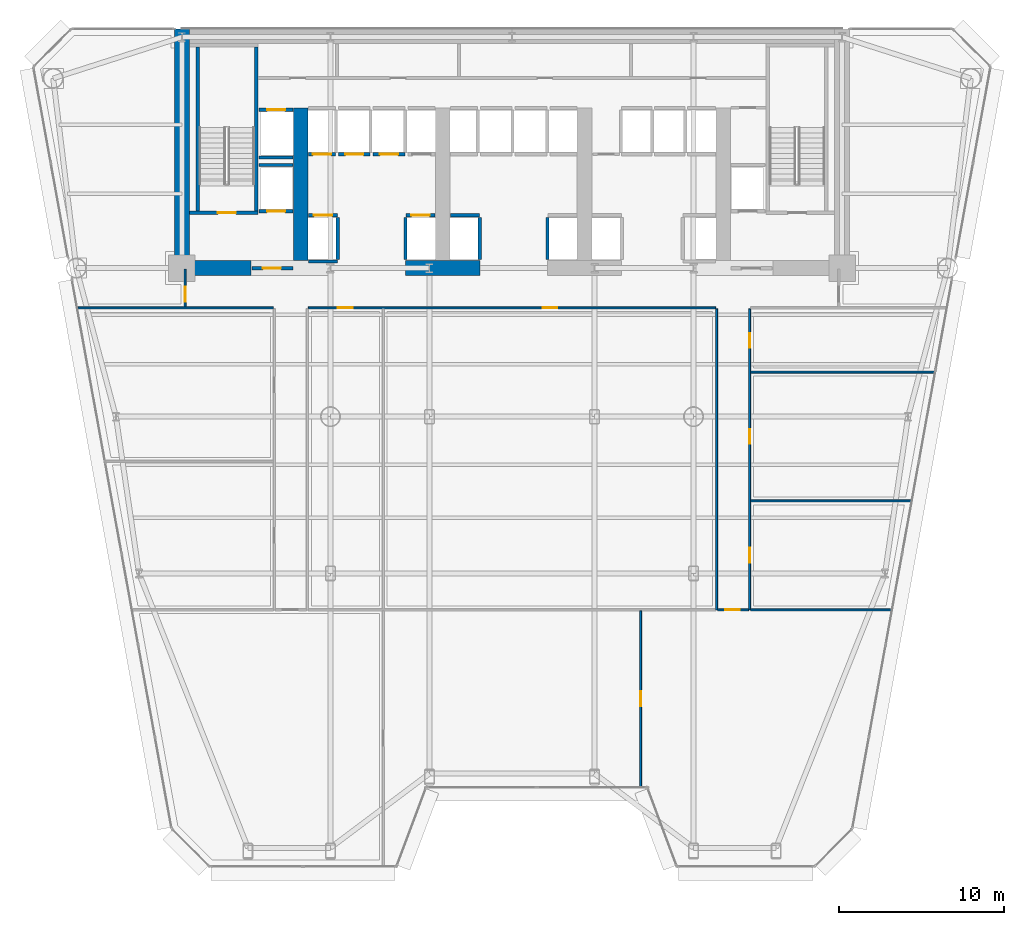
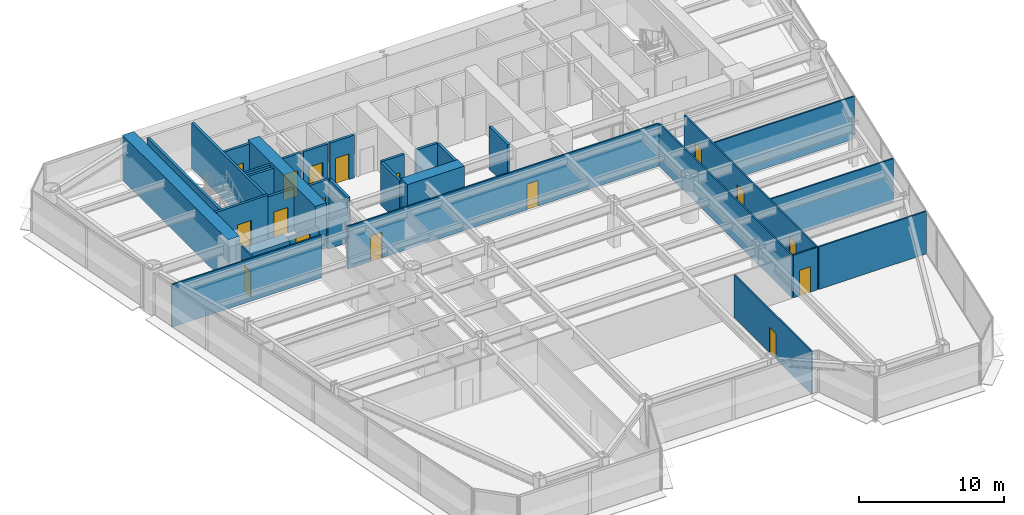
# One storey, part 8 of 14: 33 walls, 17 doors, 17 openings.
"""IFC4 building model written with IfcOpenShell, lengths in metres."""

from ifc_helpers import new_model, si_unit, direction, frame, frame_2d, origin, place, context, subcontext, project, spatial, rectangle, extrude, source, transform, mapped, material, layer, layer_set, type_object, element, fill, save


model = new_model("IFC4")

# Units and contexts
model_context = context("Model", 3, precision=1e-05, world=origin(), true_north=direction((0.0, 1.0)))
body_context = subcontext(model_context, "Body", "Model", "MODEL_VIEW")
ifc_project = project(units=[si_unit("LENGTHUNIT", "METRE"), si_unit("AREAUNIT", "SQUARE_METRE"), si_unit("VOLUMEUNIT", "CUBIC_METRE"), si_unit("PLANEANGLEUNIT", "RADIAN"), si_unit("MASSUNIT", "GRAM", prefix="KILO")], contexts=[model_context])

# Site, building, storey
site_placement = place(None, origin())
site = spatial("IfcSite", under=ifc_project, at=site_placement, CompositionType="ELEMENT")
building_placement = place(site_placement, origin())
building = spatial("IfcBuilding", under=site, at=building_placement, Name="Vaeldorn Concourse Tower", CompositionType="ELEMENT")
storey_placement = place(building_placement, frame((0.0, 0.0, 22.60009765625)))
storey = spatial("IfcBuildingStorey", under=building, at=storey_placement, Name="L05", CompositionType="ELEMENT", Elevation=22.60009765625)

# Walls
ifc_material_1 = material(Name="Concrete C60/75", Category="concrete")
ifc_layer_1 = layer(ifc_material_1, 0.89990234375)
ifc_layer_set_1 = layer_set([ifc_layer_1], Name="Concrete C60/75")
wall_type_1 = type_object("IfcWallType", Name="WL-CORE-900", PredefinedType="SHEAR", material=ifc_layer_set_1)
wall_1_placement = place(storey_placement, frame((14.0, 36.5, 0.0), z_axis=(0.0, 0.0, 1.0), x_axis=(0.0, 1.0, 0.0)))
element("IfcWall", 1, at=wall_1_placement, inside=storey, type_object=wall_type_1, Name="Rear Core Shear Wall L05 W1", PredefinedType="SHEAR", context=body_context, shape_type="SweptSolid", body=[
    extrude(rectangle(XDim=14.5, YDim=0.89990234375, at=frame_2d((7.25, 0.0))), origin(), (0.0, 0.0, 1.0), 3.7998046875),
])
wall_2_placement = place(storey_placement, frame((14.469970703125, 36.5, 0.0), z_axis=(0.0, 0.0, 1.0), x_axis=(1.0, 0.0, 0.0)))
element("IfcWall", 2, at=wall_2_placement, inside=storey, type_object=wall_type_1, Name="Rear Core Shear Wall L05 S1", PredefinedType="SHEAR", context=body_context, shape_type="SweptSolid", body=[
    extrude(rectangle(XDim=3.72998046875, YDim=0.89990234375, at=frame_2d((1.864990234375, 0.0))), origin(), (0.0, 0.0, 1.0), 2.3798828125),
])
wall_3_placement = place(storey_placement, frame((27.550048828125, 36.5, 0.0), z_axis=(0.0, 0.0, 1.0), x_axis=(1.0, 0.0, 0.0)))
element("IfcWall", 3, at=wall_3_placement, inside=storey, type_object=wall_type_1, Name="Rear Core Shear Wall L05 S2", PredefinedType="SHEAR", context=body_context, shape_type="SweptSolid", body=[
    extrude(rectangle(XDim=4.5, YDim=0.89990234375, at=frame_2d((2.25, 0.0))), origin(), (0.0, 0.0, 1.0), 3.7998046875),
])
wall_4_placement = place(storey_placement, frame((21.199951171875, 36.969970703125, 0.0), z_axis=(0.0, 0.0, 1.0), x_axis=(0.0, 1.0, 0.0)))
element("IfcWall", 4, at=wall_4_placement, inside=storey, type_object=wall_type_1, Name="Rear Core Shear Wall L05 M1", PredefinedType="SHEAR", context=body_context, shape_type="SweptSolid", body=[
    extrude(rectangle(XDim=9.22998046875, YDim=0.89990234375, at=frame_2d((4.614990234375, 0.0))), origin(), (0.0, 0.0, 1.0), 3.7998046875),
])

# Wall, openings, doors
ifc_material_2 = material(Name="Gypsum Board Partition", Category="gypsum")
ifc_layer_2 = layer(ifc_material_2, 0.1201171875)
ifc_layer_set_2 = layer_set([ifc_layer_2], Name="Gypsum Board Partition")
wall_type_2 = type_object("IfcWallType", Name="WL-PART-120", PredefinedType="PARTITIONING", material=ifc_layer_set_2)
wall_5_placement = place(storey_placement, frame((21.659912109375, 34.10009765625, 0.0), z_axis=(0.0, 0.0, 1.0), x_axis=(1.0, 0.0, 0.0)))
wall_5 = element("IfcWall", 5, at=wall_5_placement, inside=storey, type_object=wall_type_2, Name="Interior Wall PW-L05-CEWS", PredefinedType="PARTITIONING", context=body_context, shape_type="SweptSolid", body=[
    extrude(rectangle(XDim=24.68017578125, YDim=0.1201171875, at=frame_2d((12.340087890625, 0.0))), origin(), (0.0, 0.0, 1.0), 3.579833984375),
])
opening_1_placement = place(wall_5_placement, frame((1.7900390625, 0.0, 0.0)))
opening_1 = element("IfcOpeningElement", 6, at=opening_1_placement, cuts=wall_5, Name="Opening D-03", PredefinedType="OPENING", context=body_context, shape_type="SweptSolid", body=[
    extrude(rectangle(XDim=0.89990234375, YDim=2.14990234375, at=frame_2d((0.449951171875, 1.074951171875))), frame((0.0, 0.070068359375, 0.0), z_axis=(0.0, -1.0, 0.0), x_axis=(1.0, 0.0, 0.0)), (0.0, 0.0, 1.0), 0.14013671875),
])
opening_2_placement = place(wall_5_placement, frame((14.18994140625, 0.0, 0.0)))
opening_2 = element("IfcOpeningElement", 7, at=opening_2_placement, cuts=wall_5, Name="Opening D-03", PredefinedType="OPENING", context=body_context, shape_type="SweptSolid", body=[
    extrude(rectangle(XDim=0.89990234375, YDim=2.14990234375, at=frame_2d((0.449951171875, 1.074951171875))), frame((0.0, 0.070068359375, 0.0), z_axis=(0.0, -1.0, 0.0), x_axis=(1.0, 0.0, 0.0)), (0.0, 0.0, 1.0), 0.14013671875),
])
ifc_material_3 = material(Name="Acoustic Bronze-Framed Glass Door", Category="glass")
door_type_1 = type_object("IfcDoorType", Name="DR-INT-900", OperationType="NOTDEFINED", PredefinedType="DOOR", material=ifc_material_3)
shared_shape_1 = source(origin(), body_context, "Body", "SweptSolid", [
    extrude(rectangle(XDim=0.89990234375, YDim=2.14990234375, at=frame_2d((0.449951171875, 1.074951171875))), frame((0.0, 0.02490234375, 0.0), z_axis=(0.0, -1.0, 0.0), x_axis=(1.0, 0.0, 0.0)), (0.0, 0.0, 1.0), 0.050048828125),
])
door_1_placement = place(opening_1_placement, origin())
door_1 = element("IfcDoor", 8, at=door_1_placement, inside=storey, type_object=door_type_1, Name="Interior Door DR-L05-H1", OperationType="SINGLE_SWING_LEFT", OverallHeight=2.14990234375, OverallWidth=0.89990234375, PredefinedType="DOOR", context=body_context, shape_type="MappedRepresentation", body=[
    mapped(shared_shape_1, transform((0.0, 0.0, 0.0), scale=1.0)),
])
fill(opening_1, door_1)
door_2_placement = place(opening_2_placement, origin())
door_2 = element("IfcDoor", 9, at=door_2_placement, inside=storey, type_object=door_type_1, Name="Interior Door DR-L05-H2", OperationType="SINGLE_SWING_RIGHT", OverallHeight=2.14990234375, OverallWidth=0.89990234375, PredefinedType="DOOR", context=body_context, shape_type="MappedRepresentation", body=[
    mapped(shared_shape_1, transform((0.0, 0.0, 0.0), scale=1.0)),
])
fill(opening_2, door_2)

# Wall
wall_6_placement = place(storey_placement, frame((7.68896484375, 34.10009765625, 0.0), z_axis=(0.0, 0.0, 1.0), x_axis=(1.0, 0.0, 0.0)))
element("IfcWall", 10, at=wall_6_placement, inside=storey, type_object=wall_type_2, Name="Interior Wall PW-L05-CEWW", PredefinedType="PARTITIONING", context=body_context, shape_type="SweptSolid", body=[
    extrude(rectangle(XDim=11.85107421875, YDim=0.1201171875, at=frame_2d((5.925537109375, 0.0))), origin(), (0.0, 0.0, 1.0), 3.579833984375),
])

# Wall, opening, door
wall_7_placement = place(storey_placement, frame((14.199951171875, 34.159912109375, 0.0), z_axis=(0.0, 0.0, 1.0), x_axis=(0.0, 1.0, 0.0)))
wall_7 = element("IfcWall", 11, at=wall_7_placement, inside=storey, type_object=wall_type_2, Name="Interior Wall PW-L05-CWWT", PredefinedType="PARTITIONING", context=body_context, shape_type="SweptSolid", body=[
    extrude(rectangle(XDim=2.280029296875, YDim=0.1201171875, at=frame_2d((1.14013671875, 0.0))), origin(), (0.0, 0.0, 1.0), 3.579833984375),
])
opening_3_placement = place(wall_7_placement, frame((0.300048828125, 0.0, 0.0)))
opening_3 = element("IfcOpeningElement", 12, at=opening_3_placement, cuts=wall_7, Name="Opening D-03", PredefinedType="OPENING", context=body_context, shape_type="SweptSolid", body=[
    extrude(rectangle(XDim=0.89990234375, YDim=2.14990234375, at=frame_2d((0.449951171875, 1.074951171875))), frame((0.0, 0.070068359375, 0.0), z_axis=(0.0, -1.0, 0.0), x_axis=(1.0, 0.0, 0.0)), (0.0, 0.0, 1.0), 0.14013671875),
])
door_3_placement = place(opening_3_placement, origin())
door_3 = element("IfcDoor", 13, at=door_3_placement, inside=storey, type_object=door_type_1, Name="Interior Door DR-L05-NW1", OperationType="SINGLE_SWING_LEFT", OverallHeight=2.14990234375, OverallWidth=0.89990234375, PredefinedType="DOOR", context=body_context, shape_type="MappedRepresentation", body=[
    mapped(shared_shape_1, transform((0.0, 0.0, 0.0), scale=1.0)),
])
fill(opening_3, door_3)

# Wall
wall_8_placement = place(storey_placement, frame((46.39990234375, 15.800048828125, 0.0), z_axis=(0.0, 0.0, 1.0), x_axis=(0.0, 1.0, 0.0)))
element("IfcWall", 14, at=wall_8_placement, inside=storey, type_object=wall_type_2, Name="Interior Wall PW-L05-CEW", PredefinedType="PARTITIONING", context=body_context, shape_type="SweptSolid", body=[
    extrude(rectangle(XDim=18.239990234375, YDim=0.1201171875, at=frame_2d((9.1201171875, 0.0))), origin(), (0.0, 0.0, 1.0), 3.579833984375),
])

# Wall, openings, doors
wall_9_placement = place(storey_placement, frame((48.39990234375, 15.800048828125, 0.0), z_axis=(0.0, 0.0, 1.0), x_axis=(0.0, 1.0, 0.0)))
wall_9 = element("IfcWall", 15, at=wall_9_placement, inside=storey, type_object=wall_type_2, Name="Interior Wall PW-L05-CEE", PredefinedType="PARTITIONING", context=body_context, shape_type="SweptSolid", body=[
    extrude(rectangle(XDim=18.239990234375, YDim=0.1201171875, at=frame_2d((9.1201171875, 0.0))), origin(), (0.0, 0.0, 1.0), 3.579833984375),
])
opening_4_placement = place(wall_9_placement, frame((2.85009765625, 0.0, 0.0)))
opening_4 = element("IfcOpeningElement", 16, at=opening_4_placement, cuts=wall_9, Name="Opening D-03", PredefinedType="OPENING", context=body_context, shape_type="SweptSolid", body=[
    extrude(rectangle(XDim=0.89990234375, YDim=2.14990234375, at=frame_2d((0.449951171875, 1.074951171875))), frame((0.0, 0.070068359375, 0.0), z_axis=(0.0, -1.0, 0.0), x_axis=(1.0, 0.0, 0.0)), (0.0, 0.0, 1.0), 0.14013671875),
])
opening_5_placement = place(wall_9_placement, frame((10.050048828125, 0.0, 0.0)))
opening_5 = element("IfcOpeningElement", 17, at=opening_5_placement, cuts=wall_9, Name="Opening D-03", PredefinedType="OPENING", context=body_context, shape_type="SweptSolid", body=[
    extrude(rectangle(XDim=0.89990234375, YDim=2.14990234375, at=frame_2d((0.449951171875, 1.074951171875))), frame((0.0, 0.070068359375, 0.0), z_axis=(0.0, -1.0, 0.0), x_axis=(1.0, 0.0, 0.0)), (0.0, 0.0, 1.0), 0.14013671875),
])
opening_6_placement = place(wall_9_placement, frame((15.8701171875, 0.0, 0.0)))
opening_6 = element("IfcOpeningElement", 18, at=opening_6_placement, cuts=wall_9, Name="Opening D-03", PredefinedType="OPENING", context=body_context, shape_type="SweptSolid", body=[
    extrude(rectangle(XDim=0.89990234375, YDim=2.14990234375, at=frame_2d((0.449951171875, 1.074951171875))), frame((0.0, 0.070068359375, 0.0), z_axis=(0.0, -1.0, 0.0), x_axis=(1.0, 0.0, 0.0)), (0.0, 0.0, 1.0), 0.14013671875),
])
door_4_placement = place(opening_4_placement, origin())
door_4 = element("IfcDoor", 19, at=door_4_placement, inside=storey, type_object=door_type_1, Name="Interior Door DR-L05-E1", OperationType="SINGLE_SWING_RIGHT", OverallHeight=2.14990234375, OverallWidth=0.89990234375, PredefinedType="DOOR", context=body_context, shape_type="MappedRepresentation", body=[
    mapped(shared_shape_1, transform((0.0, 0.0, 0.0), scale=1.0)),
])
fill(opening_4, door_4)
door_5_placement = place(opening_5_placement, origin())
door_5 = element("IfcDoor", 20, at=door_5_placement, inside=storey, type_object=door_type_1, Name="Interior Door DR-L05-E2", OperationType="SINGLE_SWING_LEFT", OverallHeight=2.14990234375, OverallWidth=0.89990234375, PredefinedType="DOOR", context=body_context, shape_type="MappedRepresentation", body=[
    mapped(shared_shape_1, transform((0.0, 0.0, 0.0), scale=1.0)),
])
fill(opening_5, door_5)
door_6_placement = place(opening_6_placement, origin())
door_6 = element("IfcDoor", 21, at=door_6_placement, inside=storey, type_object=door_type_1, Name="Interior Door DR-L05-E3", OperationType="SINGLE_SWING_RIGHT", OverallHeight=2.14990234375, OverallWidth=0.89990234375, PredefinedType="DOOR", context=body_context, shape_type="MappedRepresentation", body=[
    mapped(shared_shape_1, transform((0.0, 0.0, 0.0), scale=1.0)),
])
fill(opening_6, door_6)

# Wall, opening, door
wall_10_placement = place(storey_placement, frame((46.4599609375, 15.800048828125, 0.0), z_axis=(0.0, 0.0, 1.0), x_axis=(1.0, 0.0, 0.0)))
wall_10 = element("IfcWall", 22, at=wall_10_placement, inside=storey, type_object=wall_type_2, Name="Interior Wall PW-L05-CES", PredefinedType="PARTITIONING", context=body_context, shape_type="SweptSolid", body=[
    extrude(rectangle(XDim=1.880126953125, YDim=0.1201171875, at=frame_2d((0.93994140625, 0.0))), origin(), (0.0, 0.0, 1.0), 3.579833984375),
])
opening_7_placement = place(wall_10_placement, frame((0.449951171875, 0.0, 0.0)))
opening_7 = element("IfcOpeningElement", 23, at=opening_7_placement, cuts=wall_10, Name="Opening D-03", PredefinedType="OPENING", context=body_context, shape_type="SweptSolid", body=[
    extrude(rectangle(XDim=0.89990234375, YDim=2.14990234375, at=frame_2d((0.449951171875, 1.074951171875))), frame((0.0, 0.070068359375, 0.0), z_axis=(0.0, -1.0, 0.0), x_axis=(1.0, 0.0, 0.0)), (0.0, 0.0, 1.0), 0.14013671875),
])
door_7_placement = place(opening_7_placement, origin())
door_7 = element("IfcDoor", 24, at=door_7_placement, inside=storey, type_object=door_type_1, Name="Interior Door DR-L05-SEL", OperationType="SINGLE_SWING_RIGHT", OverallHeight=2.14990234375, OverallWidth=0.89990234375, PredefinedType="DOOR", context=body_context, shape_type="MappedRepresentation", body=[
    mapped(shared_shape_1, transform((0.0, 0.0, 0.0), scale=1.0)),
])
fill(opening_7, door_7)

# Walls
wall_11_placement = place(storey_placement, frame((48.4599609375, 15.800048828125, 0.0), z_axis=(0.0, 0.0, 1.0), x_axis=(1.0, 0.0, 0.0)))
element("IfcWall", 25, at=wall_11_placement, inside=storey, type_object=wall_type_2, Name="Interior Wall PW-L05-EY0", PredefinedType="PARTITIONING", context=body_context, shape_type="SweptSolid", body=[
    extrude(rectangle(XDim=8.530517578125, YDim=0.1201171875, at=frame_2d((4.26513671875, 0.0))), origin(), (0.0, 0.0, 1.0), 3.579833984375),
])
wall_12_placement = place(storey_placement, frame((48.4599609375, 22.39990234375, 0.0), z_axis=(0.0, 0.0, 1.0), x_axis=(1.0, 0.0, 0.0)))
element("IfcWall", 26, at=wall_12_placement, inside=storey, type_object=wall_type_2, Name="Interior Wall PW-L05-EY1", PredefinedType="PARTITIONING", context=body_context, shape_type="SweptSolid", body=[
    extrude(rectangle(XDim=9.72802734375, YDim=0.1201171875, at=frame_2d((4.864013671875, 0.0))), origin(), (0.0, 0.0, 1.0), 3.579833984375),
])
wall_13_placement = place(storey_placement, frame((48.4599609375, 30.199951171875, 0.0), z_axis=(0.0, 0.0, 1.0), x_axis=(1.0, 0.0, 0.0)))
element("IfcWall", 27, at=wall_13_placement, inside=storey, type_object=wall_type_2, Name="Interior Wall PW-L05-EY2", PredefinedType="PARTITIONING", context=body_context, shape_type="SweptSolid", body=[
    extrude(rectangle(XDim=11.143310546875, YDim=0.1201171875, at=frame_2d((5.57177734375, 0.0))), origin(), (0.0, 0.0, 1.0), 3.579833984375),
])

# Wall, opening, door
wall_14_placement = place(storey_placement, frame((41.800048828125, 5.0791015625, 0.0), z_axis=(0.0, 0.0, 1.0), x_axis=(0.0, 1.0, 0.0)))
wall_14 = element("IfcWall", 28, at=wall_14_placement, inside=storey, type_object=wall_type_2, Name="Interior Wall PW-L05-SMID2", PredefinedType="PARTITIONING", context=body_context, shape_type="SweptSolid", body=[
    extrude(rectangle(XDim=10.660888671875, YDim=0.1201171875, at=frame_2d((5.33056640625, 0.0))), origin(), (0.0, 0.0, 1.0), 3.579833984375),
])
opening_8_placement = place(wall_14_placement, frame((4.8798828125, 0.0, 0.0)))
opening_8 = element("IfcOpeningElement", 29, at=opening_8_placement, cuts=wall_14, Name="Opening D-03", PredefinedType="OPENING", context=body_context, shape_type="SweptSolid", body=[
    extrude(rectangle(XDim=0.89990234375, YDim=2.14990234375, at=frame_2d((0.449951171875, 1.074951171875))), frame((0.0, 0.070068359375, 0.0), z_axis=(0.0, -1.0, 0.0), x_axis=(1.0, 0.0, 0.0)), (0.0, 0.0, 1.0), 0.14013671875),
])
door_8_placement = place(opening_8_placement, origin())
door_8 = element("IfcDoor", 30, at=door_8_placement, inside=storey, type_object=door_type_1, Name="Interior Door DR-L05-SMID2", OperationType="SINGLE_SWING_LEFT", OverallHeight=2.14990234375, OverallWidth=0.89990234375, PredefinedType="DOOR", context=body_context, shape_type="MappedRepresentation", body=[
    mapped(shared_shape_1, transform((0.0, 0.0, 0.0), scale=1.0)),
])
fill(opening_8, door_8)

ifc_material_4 = material(Name="Concrete C50/60", Category="concrete")
ifc_layer_3 = layer(ifc_material_4, 0.199951171875)
ifc_layer_set_3 = layer_set([ifc_layer_3], Name="Concrete C50/60")
wall_type_3 = type_object("IfcWallType", Name="WL-SHAFT-200", PredefinedType="SOLIDWALL", material=ifc_layer_set_3)
wall_15_placement = place(storey_placement, frame((14.449951171875, 39.85009765625, 0.0), z_axis=(0.0, 0.0, 1.0), x_axis=(1.0, 0.0, 0.0)))
wall_15 = element("IfcWall", 31, at=wall_15_placement, inside=storey, type_object=wall_type_3, Name="Stair Shaft Wall CW-L05-ST-1-S", PredefinedType="SOLIDWALL", context=body_context, shape_type="SweptSolid", body=[
    extrude(rectangle(XDim=4.150146484375, YDim=0.199951171875, at=frame_2d((2.0751953125, 0.0))), origin(), (0.0, 0.0, 1.0), 3.7998046875),
])
opening_9_placement = place(wall_15_placement, frame((1.72509765625, 0.0, 0.0)))
opening_9 = element("IfcOpeningElement", 32, at=opening_9_placement, cuts=wall_15, Name="Opening D-01", PredefinedType="OPENING", context=body_context, shape_type="SweptSolid", body=[
    extrude(rectangle(XDim=1.10009765625, YDim=2.14990234375, at=frame_2d((0.550048828125, 1.074951171875))), frame((0.0, 0.10986328125, 0.0), z_axis=(0.0, -1.0, 0.0), x_axis=(1.0, 0.0, 0.0)), (0.0, 0.0, 1.0), 0.219970703125),
])
ifc_material_5 = material(Name="Fire-Rated Timber and Steel Leaf", Category="steel")
door_type_2 = type_object("IfcDoorType", Name="DR-FD60-1100", OperationType="NOTDEFINED", PredefinedType="DOOR", material=ifc_material_5)
shared_shape_2 = source(origin(), body_context, "Body", "SweptSolid", [
    extrude(rectangle(XDim=1.10009765625, YDim=2.14990234375, at=frame_2d((0.550048828125, 1.074951171875))), frame((0.0, 0.02490234375, 0.0), z_axis=(0.0, -1.0, 0.0), x_axis=(1.0, 0.0, 0.0)), (0.0, 0.0, 1.0), 0.050048828125),
])
door_9_placement = place(opening_9_placement, origin())
door_9 = element("IfcDoor", 33, at=door_9_placement, inside=storey, type_object=door_type_2, Name="Interior Door DR-L05-ST-1", OperationType="SINGLE_SWING_LEFT", OverallHeight=2.14990234375, OverallWidth=1.10009765625, PredefinedType="DOOR", context=body_context, shape_type="MappedRepresentation", body=[
    mapped(shared_shape_2, transform((0.0, 0.0, 0.0), scale=1.0)),
])
fill(opening_9, door_9)

# Walls
for number, where, z_axis, x_axis, name in (
    (34, (14.949951171875, 39.9599609375, 0.0), (0.0, 0.0, 1.0), (0.0, 1.0, 0.0), "Stair Shaft Wall CW-L05-ST-1-W"),
    (35, (18.5, 39.9599609375, 0.0), (0.0, 0.0, 1.0), (0.0, 1.0, 0.0), "Stair Shaft Wall CW-L05-ST-1-E"),
):
    element("IfcWall", number, at=place(storey_placement, frame(where, z_axis=z_axis, x_axis=x_axis)), inside=storey, type_object=wall_type_3, Name=name, PredefinedType="SOLIDWALL", context=body_context, shape_type="SweptSolid", body=[
        extrude(rectangle(XDim=9.929931640625, YDim=0.199951171875, at=frame_2d((4.96484375, 0.0))), origin(), (0.0, 0.0, 1.0), 3.7998046875),
    ])

# Wall, opening, door
wall_16_placement = place(storey_placement, frame((18.25, 36.5, 0.0), z_axis=(0.0, 0.0, 1.0), x_axis=(1.0, 0.0, 0.0)))
wall_16 = element("IfcWall", 36, at=wall_16_placement, inside=storey, type_object=wall_type_3, Name="Interior Wall CW-L05-FF1S", PredefinedType="SOLIDWALL", context=body_context, shape_type="SweptSolid", body=[
    extrude(rectangle(XDim=2.469970703125, YDim=0.199951171875, at=frame_2d((1.23486328125, 0.0))), origin(), (0.0, 0.0, 1.0), 2.369873046875),
])
opening_10_placement = place(wall_16_placement, frame((0.64990234375, 0.0, 0.0)))
opening_10 = element("IfcOpeningElement", 37, at=opening_10_placement, cuts=wall_16, Name="Opening D-01", PredefinedType="OPENING", context=body_context, shape_type="SweptSolid", body=[
    extrude(rectangle(XDim=1.10009765625, YDim=2.14990234375, at=frame_2d((0.550048828125, 1.074951171875))), frame((0.0, 0.10986328125, 0.0), z_axis=(0.0, -1.0, 0.0), x_axis=(1.0, 0.0, 0.0)), (0.0, 0.0, 1.0), 0.219970703125),
])
door_10_placement = place(opening_10_placement, origin())
door_10 = element("IfcDoor", 38, at=door_10_placement, inside=storey, type_object=door_type_2, Name="Interior Door DR-L05-FF1E", OperationType="SINGLE_SWING_RIGHT", OverallHeight=2.14990234375, OverallWidth=1.10009765625, PredefinedType="DOOR", context=body_context, shape_type="MappedRepresentation", body=[
    mapped(shared_shape_2, transform((0.0, 0.0, 0.0), scale=1.0)),
])
fill(opening_10, door_10)

wall_17_placement = place(storey_placement, frame((21.659912109375, 39.699951171875, 0.0), z_axis=(0.0, 0.0, 1.0), x_axis=(1.0, 0.0, 0.0)))
wall_17 = element("IfcWall", 39, at=wall_17_placement, inside=storey, type_object=wall_type_3, Name="Interior Wall CW-L05-LF-LF-01", PredefinedType="SOLIDWALL", context=body_context, shape_type="SweptSolid", body=[
    extrude(rectangle(XDim=1.77001953125, YDim=0.199951171875, at=frame_2d((0.885009765625, 0.0))), origin(), (0.0, 0.0, 1.0), 3.579833984375),
])
opening_11_placement = place(wall_17_placement, frame((0.3349609375, 0.0, 0.0)))
opening_11 = element("IfcOpeningElement", 40, at=opening_11_placement, cuts=wall_17, Name="Opening LD-1", PredefinedType="OPENING", context=body_context, shape_type="SweptSolid", body=[
    extrude(rectangle(XDim=1.10009765625, YDim=2.14990234375, at=frame_2d((0.550048828125, 1.074951171875))), frame((0.0, 0.10986328125, 0.0), z_axis=(0.0, -1.0, 0.0), x_axis=(1.0, 0.0, 0.0)), (0.0, 0.0, 1.0), 0.219970703125),
])
ifc_material_6 = material(Name="Anodised Bronze Aluminium", Category="aluminium")
door_type_3 = type_object("IfcDoorType", Name="DR-LIFT-SLIDE-1100", OperationType="DOUBLE_DOOR_SLIDING", PredefinedType="DOOR", material=ifc_material_6)
door_11_placement = place(opening_11_placement, origin())
door_11 = element("IfcDoor", 41, at=door_11_placement, inside=storey, type_object=door_type_3, Name="Lift Landing Door LD-L05-LF-01", OperationType="DOUBLE_DOOR_SLIDING", OverallHeight=2.14990234375, OverallWidth=1.10009765625, PredefinedType="DOOR", context=body_context, shape_type="MappedRepresentation", body=[
    mapped(shared_shape_2, transform((0.0, 0.0, 0.0), scale=1.0)),
])
fill(opening_11, door_11)

# Walls
wall_18_placement = place(storey_placement, frame((21.659912109375, 36.89990234375, 0.0), z_axis=(0.0, 0.0, 1.0), x_axis=(1.0, 0.0, 0.0)))
element("IfcWall", 42, at=wall_18_placement, inside=storey, type_object=wall_type_3, Name="Interior Wall CW-L05-LFB-LF-01", PredefinedType="SOLIDWALL", context=body_context, shape_type="SweptSolid", body=[
    extrude(rectangle(XDim=1.77001953125, YDim=0.199951171875, at=frame_2d((0.885009765625, 0.0))), origin(), (0.0, 0.0, 1.0), 2.369873046875),
])
wall_19_placement = place(storey_placement, frame((23.449951171875, 37.02001953125, 0.0), z_axis=(0.0, 0.0, 1.0), x_axis=(0.0, 1.0, 0.0)))
element("IfcWall", 43, at=wall_19_placement, inside=storey, type_object=wall_type_3, Name="Interior Wall CW-L05-LFE-LF-01", PredefinedType="SOLIDWALL", context=body_context, shape_type="SweptSolid", body=[
    extrude(rectangle(XDim=2.56005859375, YDim=0.199951171875, at=frame_2d((1.280029296875, 0.0))), origin(), (0.0, 0.0, 1.0), 3.579833984375),
])

# Wall, opening, door
wall_20_placement = place(storey_placement, frame((27.570068359375, 39.699951171875, 0.0), z_axis=(0.0, 0.0, 1.0), x_axis=(1.0, 0.0, 0.0)))
wall_20 = element("IfcWall", 44, at=wall_20_placement, inside=storey, type_object=wall_type_3, Name="Interior Wall CW-L05-LF-LF-02", PredefinedType="SOLIDWALL", context=body_context, shape_type="SweptSolid", body=[
    extrude(rectangle(XDim=1.77001953125, YDim=0.199951171875, at=frame_2d((0.885009765625, 0.0))), origin(), (0.0, 0.0, 1.0), 3.579833984375),
])
opening_12_placement = place(wall_20_placement, frame((0.3349609375, 0.0, 0.0)))
opening_12 = element("IfcOpeningElement", 45, at=opening_12_placement, cuts=wall_20, Name="Opening LD-1", PredefinedType="OPENING", context=body_context, shape_type="SweptSolid", body=[
    extrude(rectangle(XDim=1.10009765625, YDim=2.14990234375, at=frame_2d((0.550048828125, 1.074951171875))), frame((0.0, 0.10986328125, 0.0), z_axis=(0.0, -1.0, 0.0), x_axis=(1.0, 0.0, 0.0)), (0.0, 0.0, 1.0), 0.219970703125),
])
door_12_placement = place(opening_12_placement, origin())
door_12 = element("IfcDoor", 46, at=door_12_placement, inside=storey, type_object=door_type_3, Name="Lift Landing Door LD-L05-LF-02", OperationType="DOUBLE_DOOR_SLIDING", OverallHeight=2.14990234375, OverallWidth=1.10009765625, PredefinedType="DOOR", context=body_context, shape_type="MappedRepresentation", body=[
    mapped(shared_shape_2, transform((0.0, 0.0, 0.0), scale=1.0)),
])
fill(opening_12, door_12)

# Wall
wall_21_placement = place(storey_placement, frame((27.550048828125, 37.02001953125, 0.0), z_axis=(0.0, 0.0, 1.0), x_axis=(0.0, 1.0, 0.0)))
element("IfcWall", 47, at=wall_21_placement, inside=storey, type_object=wall_type_3, Name="Interior Wall CW-L05-LFW-LF-02", PredefinedType="SOLIDWALL", context=body_context, shape_type="SweptSolid", body=[
    extrude(rectangle(XDim=2.56005859375, YDim=0.199951171875, at=frame_2d((1.280029296875, 0.0))), origin(), (0.0, 0.0, 1.0), 3.579833984375),
])

# Wall, opening, door
wall_22_placement = place(storey_placement, frame((21.659912109375, 43.39990234375, 0.0), z_axis=(0.0, 0.0, 1.0), x_axis=(1.0, 0.0, 0.0)))
wall_22 = element("IfcWall", 48, at=wall_22_placement, inside=storey, type_object=wall_type_3, Name="Interior Wall CW-L05-LF-LF-03", PredefinedType="SOLIDWALL", context=body_context, shape_type="SweptSolid", body=[
    extrude(rectangle(XDim=1.650146484375, YDim=0.199951171875, at=frame_2d((0.8251953125, 0.0))), origin(), (0.0, 0.0, 1.0), 3.579833984375),
])
opening_13_placement = place(wall_22_placement, frame((0.27490234375, 0.0, 0.0)))
opening_13 = element("IfcOpeningElement", 49, at=opening_13_placement, cuts=wall_22, Name="Opening LD-1", PredefinedType="OPENING", context=body_context, shape_type="SweptSolid", body=[
    extrude(rectangle(XDim=1.10009765625, YDim=2.14990234375, at=frame_2d((0.550048828125, 1.074951171875))), frame((0.0, 0.10986328125, 0.0), z_axis=(0.0, -1.0, 0.0), x_axis=(1.0, 0.0, 0.0)), (0.0, 0.0, 1.0), 0.219970703125),
])
door_13_placement = place(opening_13_placement, origin())
door_13 = element("IfcDoor", 50, at=door_13_placement, inside=storey, type_object=door_type_3, Name="Lift Landing Door LD-L05-LF-03", OperationType="DOUBLE_DOOR_SLIDING", OverallHeight=2.14990234375, OverallWidth=1.10009765625, PredefinedType="DOOR", context=body_context, shape_type="MappedRepresentation", body=[
    mapped(shared_shape_2, transform((0.0, 0.0, 0.0), scale=1.0)),
])
fill(opening_13, door_13)

wall_23_placement = place(storey_placement, frame((23.489990234375, 43.39990234375, 0.0), z_axis=(0.0, 0.0, 1.0), x_axis=(1.0, 0.0, 0.0)))
wall_23 = element("IfcWall", 51, at=wall_23_placement, inside=storey, type_object=wall_type_3, Name="Interior Wall CW-L05-LF-LF-04", PredefinedType="SOLIDWALL", context=body_context, shape_type="SweptSolid", body=[
    extrude(rectangle(XDim=1.919921875, YDim=0.199951171875, at=frame_2d((0.9599609375, 0.0))), origin(), (0.0, 0.0, 1.0), 3.579833984375),
])
opening_14_placement = place(wall_23_placement, frame((0.409912109375, 0.0, 0.0)))
opening_14 = element("IfcOpeningElement", 52, at=opening_14_placement, cuts=wall_23, Name="Opening LD-1", PredefinedType="OPENING", context=body_context, shape_type="SweptSolid", body=[
    extrude(rectangle(XDim=1.10009765625, YDim=2.14990234375, at=frame_2d((0.550048828125, 1.074951171875))), frame((0.0, 0.10986328125, 0.0), z_axis=(0.0, -1.0, 0.0), x_axis=(1.0, 0.0, 0.0)), (0.0, 0.0, 1.0), 0.219970703125),
])
door_14_placement = place(opening_14_placement, origin())
door_14 = element("IfcDoor", 53, at=door_14_placement, inside=storey, type_object=door_type_3, Name="Lift Landing Door LD-L05-LF-04", OperationType="DOUBLE_DOOR_SLIDING", OverallHeight=2.14990234375, OverallWidth=1.10009765625, PredefinedType="DOOR", context=body_context, shape_type="MappedRepresentation", body=[
    mapped(shared_shape_2, transform((0.0, 0.0, 0.0), scale=1.0)),
])
fill(opening_14, door_14)

wall_24_placement = place(storey_placement, frame((25.590087890625, 43.39990234375, 0.0), z_axis=(0.0, 0.0, 1.0), x_axis=(1.0, 0.0, 0.0)))
wall_24 = element("IfcWall", 54, at=wall_24_placement, inside=storey, type_object=wall_type_3, Name="Interior Wall CW-L05-LF-LF-05", PredefinedType="SOLIDWALL", context=body_context, shape_type="SweptSolid", body=[
    extrude(rectangle(XDim=1.919921875, YDim=0.199951171875, at=frame_2d((0.9599609375, 0.0))), origin(), (0.0, 0.0, 1.0), 3.579833984375),
])
opening_15_placement = place(wall_24_placement, frame((0.409912109375, 0.0, 0.0)))
opening_15 = element("IfcOpeningElement", 55, at=opening_15_placement, cuts=wall_24, Name="Opening LD-1", PredefinedType="OPENING", context=body_context, shape_type="SweptSolid", body=[
    extrude(rectangle(XDim=1.10009765625, YDim=2.14990234375, at=frame_2d((0.550048828125, 1.074951171875))), frame((0.0, 0.10986328125, 0.0), z_axis=(0.0, -1.0, 0.0), x_axis=(1.0, 0.0, 0.0)), (0.0, 0.0, 1.0), 0.219970703125),
])
door_15_placement = place(opening_15_placement, origin())
door_15 = element("IfcDoor", 56, at=door_15_placement, inside=storey, type_object=door_type_3, Name="Lift Landing Door LD-L05-LF-05", OperationType="DOUBLE_DOOR_SLIDING", OverallHeight=2.14990234375, OverallWidth=1.10009765625, PredefinedType="DOOR", context=body_context, shape_type="MappedRepresentation", body=[
    mapped(shared_shape_2, transform((0.0, 0.0, 0.0), scale=1.0)),
])
fill(opening_15, door_15)

# Walls
wall_25_placement = place(storey_placement, frame((30.260009765625, 39.699951171875, 0.0), z_axis=(0.0, 0.0, 1.0), x_axis=(1.0, 0.0, 0.0)))
element("IfcWall", 57, at=wall_25_placement, inside=storey, type_object=wall_type_3, Name="Interior Wall CW-L05-LF-LF-07", PredefinedType="SOLIDWALL", context=body_context, shape_type="SweptSolid", body=[
    extrude(rectangle(XDim=1.77001953125, YDim=0.199951171875, at=frame_2d((0.885009765625, 0.0))), origin(), (0.0, 0.0, 1.0), 3.579833984375),
])
for number, where, z_axis, x_axis, name in (
    (58, (32.050048828125, 37.02001953125, 0.0), (0.0, 0.0, 1.0), (0.0, 1.0, 0.0), "Interior Wall CW-L05-LFE-LF-07"),
    (59, (36.14990234375, 37.02001953125, 0.0), (0.0, 0.0, 1.0), (0.0, 1.0, 0.0), "Interior Wall CW-L05-LFW-LF-08"),
):
    element("IfcWall", number, at=place(storey_placement, frame(where, z_axis=z_axis, x_axis=x_axis)), inside=storey, type_object=wall_type_3, Name=name, PredefinedType="SOLIDWALL", context=body_context, shape_type="SweptSolid", body=[
        extrude(rectangle(XDim=2.56005859375, YDim=0.199951171875, at=frame_2d((1.280029296875, 0.0))), origin(), (0.0, 0.0, 1.0), 3.579833984375),
    ])

# Wall, opening, door
wall_26_placement = place(storey_placement, frame((18.669921875, 46.10009765625, 0.0), z_axis=(0.0, 0.0, 1.0), x_axis=(1.0, 0.0, 0.0)))
wall_26 = element("IfcWall", 60, at=wall_26_placement, inside=storey, type_object=wall_type_3, Name="Interior Wall CW-L05-LF-LF-SV1", PredefinedType="SOLIDWALL", context=body_context, shape_type="SweptSolid", body=[
    extrude(rectangle(XDim=2.070068359375, YDim=0.199951171875, at=frame_2d((1.03515625, 0.0))), origin(), (0.0, 0.0, 1.0), 3.579833984375),
])
opening_16_placement = place(wall_26_placement, frame((0.485107421875, 0.0, 0.0)))
opening_16 = element("IfcOpeningElement", 61, at=opening_16_placement, cuts=wall_26, Name="Opening LD-1", PredefinedType="OPENING", context=body_context, shape_type="SweptSolid", body=[
    extrude(rectangle(XDim=1.10009765625, YDim=2.14990234375, at=frame_2d((0.550048828125, 1.074951171875))), frame((0.0, 0.10986328125, 0.0), z_axis=(0.0, -1.0, 0.0), x_axis=(1.0, 0.0, 0.0)), (0.0, 0.0, 1.0), 0.219970703125),
])
door_16_placement = place(opening_16_placement, origin())
door_16 = element("IfcDoor", 62, at=door_16_placement, inside=storey, type_object=door_type_3, Name="Lift Landing Door LD-L05-LF-SV1", OperationType="DOUBLE_DOOR_SLIDING", OverallHeight=2.14990234375, OverallWidth=1.10009765625, PredefinedType="DOOR", context=body_context, shape_type="MappedRepresentation", body=[
    mapped(shared_shape_2, transform((0.0, 0.0, 0.0), scale=1.0)),
])
fill(opening_16, door_16)

# Wall
wall_27_placement = place(storey_placement, frame((18.669921875, 43.199951171875, 0.0), z_axis=(0.0, 0.0, 1.0), x_axis=(1.0, 0.0, 0.0)))
element("IfcWall", 63, at=wall_27_placement, inside=storey, type_object=wall_type_3, Name="Interior Wall CW-L05-LFB-LF-SV1", PredefinedType="SOLIDWALL", context=body_context, shape_type="SweptSolid", body=[
    extrude(rectangle(XDim=2.070068359375, YDim=0.199951171875, at=frame_2d((1.03515625, 0.0))), origin(), (0.0, 0.0, 1.0), 3.579833984375),
])

# Wall, opening, door
wall_28_placement = place(storey_placement, frame((18.669921875, 39.949951171875, 0.0), z_axis=(0.0, 0.0, 1.0), x_axis=(1.0, 0.0, 0.0)))
wall_28 = element("IfcWall", 64, at=wall_28_placement, inside=storey, type_object=wall_type_3, Name="Interior Wall CW-L05-LF-LF-FF1", PredefinedType="SOLIDWALL", context=body_context, shape_type="SweptSolid", body=[
    extrude(rectangle(XDim=2.070068359375, YDim=0.199951171875, at=frame_2d((1.03515625, 0.0))), origin(), (0.0, 0.0, 1.0), 3.579833984375),
])
opening_17_placement = place(wall_28_placement, frame((0.485107421875, 0.0, 0.0)))
opening_17 = element("IfcOpeningElement", 65, at=opening_17_placement, cuts=wall_28, Name="Opening LD-1", PredefinedType="OPENING", context=body_context, shape_type="SweptSolid", body=[
    extrude(rectangle(XDim=1.10009765625, YDim=2.14990234375, at=frame_2d((0.550048828125, 1.074951171875))), frame((0.0, 0.10986328125, 0.0), z_axis=(0.0, -1.0, 0.0), x_axis=(1.0, 0.0, 0.0)), (0.0, 0.0, 1.0), 0.219970703125),
])
door_17_placement = place(opening_17_placement, origin())
door_17 = element("IfcDoor", 66, at=door_17_placement, inside=storey, type_object=door_type_3, Name="Lift Landing Door LD-L05-LF-FF1", OperationType="DOUBLE_DOOR_SLIDING", OverallHeight=2.14990234375, OverallWidth=1.10009765625, PredefinedType="DOOR", context=body_context, shape_type="MappedRepresentation", body=[
    mapped(shared_shape_2, transform((0.0, 0.0, 0.0), scale=1.0)),
])
fill(opening_17, door_17)

# Wall
wall_29_placement = place(storey_placement, frame((18.669921875, 42.75, 0.0), z_axis=(0.0, 0.0, 1.0), x_axis=(1.0, 0.0, 0.0)))
element("IfcWall", 67, at=wall_29_placement, inside=storey, type_object=wall_type_3, Name="Interior Wall CW-L05-LFB-LF-FF1", PredefinedType="SOLIDWALL", context=body_context, shape_type="SweptSolid", body=[
    extrude(rectangle(XDim=2.070068359375, YDim=0.199951171875, at=frame_2d((1.03515625, 0.0))), origin(), (0.0, 0.0, 1.0), 3.579833984375),
])

save(model, "model.ifc")
